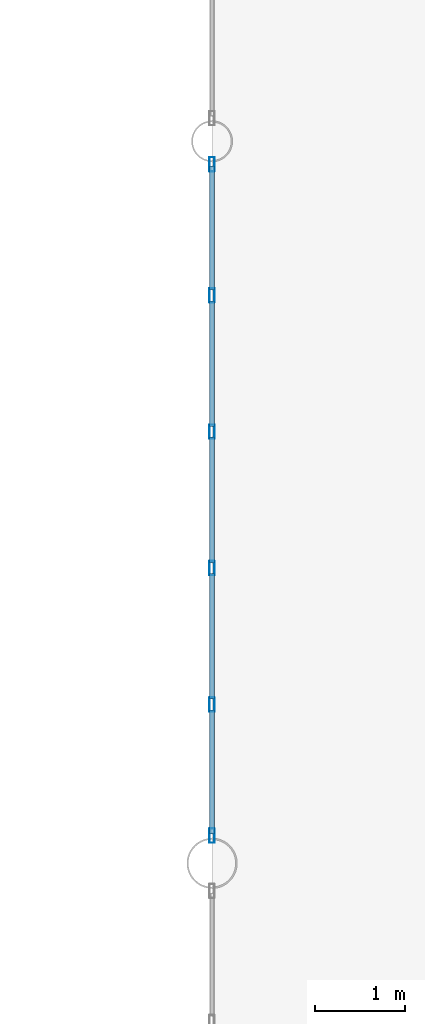
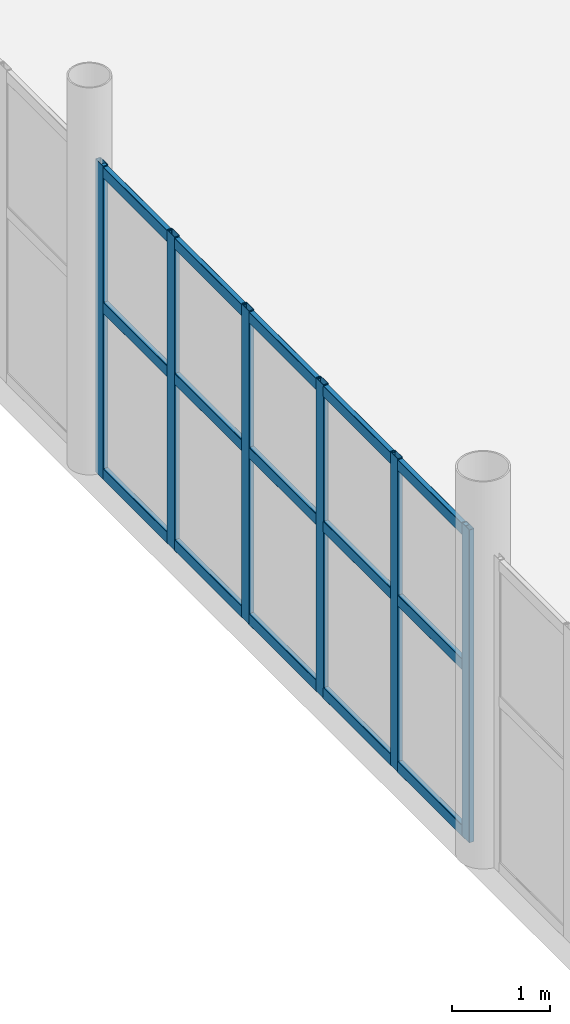
# One storey, part 38 of 178: 21 members, 1 element without a shape of its own.
"""IFC4 building model written with IfcOpenShell, lengths in metres."""

from ifc_helpers import new_model, si_unit, derived_unit, direction, frame, origin, origin_2d, place, context, subcontext, project, spatial, hollow_rectangle, extrude, material, material_profile, profile_set, type_object, element, aggregate, save


model = new_model("IFC4")

# Units and contexts
model_context = context("Model", 3, precision=1e-05, world=origin(), true_north=direction((0.0, 1.0)))
body_context = subcontext(model_context, "Body", "Model", "MODEL_VIEW")
ifc_project = project(units=[si_unit("LENGTHUNIT", "METRE"), si_unit("AREAUNIT", "SQUARE_METRE"), si_unit("VOLUMEUNIT", "CUBIC_METRE"), si_unit("PLANEANGLEUNIT", "RADIAN"), si_unit("MASSUNIT", "GRAM", prefix="KILO"), derived_unit("THERMALTRANSMITTANCEUNIT", [(si_unit("MASSUNIT", "GRAM", prefix="KILO"), 1), (si_unit("TIMEUNIT", "SECOND"), -3), (si_unit("THERMODYNAMICTEMPERATUREUNIT", "KELVIN"), -1)])], contexts=[model_context])

# Site, building, storey
site_placement = place(None, origin())
site = spatial("IfcSite", under=ifc_project, at=site_placement, CompositionType="ELEMENT")
building_placement = place(site_placement, origin())
building = spatial("IfcBuilding", under=site, at=building_placement, Name="Zhenchuan Archway Interchange", CompositionType="ELEMENT")
storey_placement = place(building_placement, frame((0.0, 0.0, 5.39990234375)))
storey = spatial("IfcBuildingStorey", under=building, at=storey_placement, Name="L01", CompositionType="ELEMENT", Elevation=5.39990234375)

# Curtain wall, members
ifc_material = material(Name="Anodised Aluminium", Category="aluminium")
curtain_wall_type = type_object("IfcCurtainWallType", Name="CW_UNIT_4", PredefinedType="NOTDEFINED", material=ifc_material)
curtain_wall_placement = place(storey_placement, origin())
curtain_wall = element("IfcCurtainWall", 1, at=curtain_wall_placement, inside=storey, type_object=curtain_wall_type, Name="Unitised curtain wall CW:L01:031", PredefinedType="NOTDEFINED")
ifc_material_profile_1 = material_profile(ifc_material, hollow_rectangle(XDim=0.06005859375, YDim=0.159912109375, WallThickness=0.00390625, InnerFilletRadius=0.00390625, OuterFilletRadius=0.008056640625, at=origin_2d()), Name="ALU 160x60x4")
ifc_profile_set_1 = profile_set([ifc_material_profile_1], Name="Anodised Aluminium")
member_type_1 = type_object("IfcMemberType", Name="CW_MUL_150", PredefinedType="MULLION", material=ifc_profile_set_1)
member_1_placement = place(storey_placement, frame((18.0, 40.306396484375, 0.0), z_axis=(0.0, 0.0, 1.0), x_axis=(1.0, 0.0, 0.0)))
member_1 = element("IfcMember", 2, at=member_1_placement, type_object=member_type_1, Name="CW:L01:031 mullion 0", PredefinedType="MULLION", context=body_context, shape_type="SweptSolid", body=[
    extrude(hollow_rectangle(XDim=0.06005859375, YDim=0.159912109375, WallThickness=0.00390625, InnerFilletRadius=0.00390625, OuterFilletRadius=0.008056640625, at=origin_2d()), origin(), (0.0, 0.0, 1.0), 3.880126953125),
])
member_2_placement = place(storey_placement, frame((18.0, 41.758056640625, 0.0), z_axis=(0.0, 0.0, 1.0), x_axis=(1.0, 0.0, 0.0)))
member_2 = element("IfcMember", 3, at=member_2_placement, type_object=member_type_1, Name="CW:L01:031 mullion 1", PredefinedType="MULLION", context=body_context, shape_type="SweptSolid", body=[
    extrude(hollow_rectangle(XDim=0.06005859375, YDim=0.159912109375, WallThickness=0.00390625, InnerFilletRadius=0.00390625, OuterFilletRadius=0.008056640625, at=origin_2d()), origin(), (0.0, 0.0, 1.0), 3.880126953125),
])
member_3_placement = place(storey_placement, frame((18.0, 43.269775390625, 0.0), z_axis=(0.0, 0.0, 1.0), x_axis=(1.0, 0.0, 0.0)))
member_3 = element("IfcMember", 4, at=member_3_placement, type_object=member_type_1, Name="CW:L01:031 mullion 2", PredefinedType="MULLION", context=body_context, shape_type="SweptSolid", body=[
    extrude(hollow_rectangle(XDim=0.06005859375, YDim=0.159912109375, WallThickness=0.00390625, InnerFilletRadius=0.00390625, OuterFilletRadius=0.008056640625, at=origin_2d()), origin(), (0.0, 0.0, 1.0), 3.880126953125),
])
member_4_placement = place(storey_placement, frame((18.0, 44.78125, 0.0), z_axis=(0.0, 0.0, 1.0), x_axis=(1.0, 0.0, 0.0)))
member_4 = element("IfcMember", 5, at=member_4_placement, type_object=member_type_1, Name="CW:L01:031 mullion 3", PredefinedType="MULLION", context=body_context, shape_type="SweptSolid", body=[
    extrude(hollow_rectangle(XDim=0.06005859375, YDim=0.159912109375, WallThickness=0.00390625, InnerFilletRadius=0.00390625, OuterFilletRadius=0.008056640625, at=origin_2d()), origin(), (0.0, 0.0, 1.0), 3.880126953125),
])
member_5_placement = place(storey_placement, frame((18.0, 46.29296875, 0.0), z_axis=(0.0, 0.0, 1.0), x_axis=(1.0, 0.0, 0.0)))
member_5 = element("IfcMember", 6, at=member_5_placement, type_object=member_type_1, Name="CW:L01:031 mullion 4", PredefinedType="MULLION", context=body_context, shape_type="SweptSolid", body=[
    extrude(hollow_rectangle(XDim=0.06005859375, YDim=0.159912109375, WallThickness=0.00390625, InnerFilletRadius=0.00390625, OuterFilletRadius=0.008056640625, at=origin_2d()), origin(), (0.0, 0.0, 1.0), 3.880126953125),
])
member_6_placement = place(storey_placement, frame((18.0, 47.744384765625, 0.0), z_axis=(0.0, 0.0, 1.0), x_axis=(1.0, 0.0, 0.0)))
member_6 = element("IfcMember", 7, at=member_6_placement, type_object=member_type_1, Name="CW:L01:031 mullion 5", PredefinedType="MULLION", context=body_context, shape_type="SweptSolid", body=[
    extrude(hollow_rectangle(XDim=0.06005859375, YDim=0.159912109375, WallThickness=0.00390625, InnerFilletRadius=0.00390625, OuterFilletRadius=0.008056640625, at=origin_2d()), origin(), (0.0, 0.0, 1.0), 3.880126953125),
])
ifc_material_profile_2 = material_profile(ifc_material, hollow_rectangle(XDim=0.06005859375, YDim=0.139892578125, WallThickness=0.00341796875, InnerFilletRadius=0.00341796875, OuterFilletRadius=0.007080078125, at=origin_2d()), Name="ALU 140x60x3.5")
ifc_profile_set_2 = profile_set([ifc_material_profile_2], Name="Anodised Aluminium")
member_type_2 = type_object("IfcMemberType", Name="CW_TRN_140", PredefinedType="USERDEFINED", material=ifc_profile_set_2)
member_7_placement = place(storey_placement, frame((18.0, 40.326416015625, 0.06005859375), z_axis=(0.0, 1.0, 0.0), x_axis=(-1.0, 0.0, 0.0)))
member_7 = element("IfcMember", 8, at=member_7_placement, type_object=member_type_2, Name="CW:L01:031 transom 0-1", ObjectType="TRANSOM", PredefinedType="USERDEFINED", context=body_context, shape_type="SweptSolid", body=[
    extrude(hollow_rectangle(XDim=0.06005859375, YDim=0.139892578125, WallThickness=0.00341796875, InnerFilletRadius=0.00341796875, OuterFilletRadius=0.007080078125, at=origin_2d()), origin(), (0.0, 0.0, 1.0), 1.37158203125),
])
member_8_placement = place(storey_placement, frame((18.0, 40.326416015625, 2.123046875), z_axis=(0.0, 1.0, 0.0), x_axis=(-1.0, 0.0, 0.0)))
member_8 = element("IfcMember", 9, at=member_8_placement, type_object=member_type_2, Name="CW:L01:031 transom 0-2", ObjectType="TRANSOM", PredefinedType="USERDEFINED", context=body_context, shape_type="SweptSolid", body=[
    extrude(hollow_rectangle(XDim=0.06005859375, YDim=0.139892578125, WallThickness=0.00341796875, InnerFilletRadius=0.00341796875, OuterFilletRadius=0.007080078125, at=origin_2d()), origin(), (0.0, 0.0, 1.0), 1.37158203125),
])
member_9_placement = place(storey_placement, frame((18.0, 40.326416015625, 3.800048828125), z_axis=(0.0, 1.0, 0.0), x_axis=(-1.0, 0.0, 0.0)))
member_9 = element("IfcMember", 10, at=member_9_placement, type_object=member_type_2, Name="CW:L01:031 transom 0-3", ObjectType="TRANSOM", PredefinedType="USERDEFINED", context=body_context, shape_type="SweptSolid", body=[
    extrude(hollow_rectangle(XDim=0.06005859375, YDim=0.139892578125, WallThickness=0.00341796875, InnerFilletRadius=0.00341796875, OuterFilletRadius=0.007080078125, at=origin_2d()), origin(), (0.0, 0.0, 1.0), 1.37158203125),
])
member_10_placement = place(storey_placement, frame((18.0, 41.818115234375, 0.06005859375), z_axis=(0.0, 1.0, 0.0), x_axis=(-1.0, 0.0, 0.0)))
member_10 = element("IfcMember", 11, at=member_10_placement, type_object=member_type_2, Name="CW:L01:031 transom 1-1", ObjectType="TRANSOM", PredefinedType="USERDEFINED", context=body_context, shape_type="SweptSolid", body=[
    extrude(hollow_rectangle(XDim=0.06005859375, YDim=0.139892578125, WallThickness=0.00341796875, InnerFilletRadius=0.00341796875, OuterFilletRadius=0.007080078125, at=origin_2d()), origin(), (0.0, 0.0, 1.0), 1.3916015625),
])
member_11_placement = place(storey_placement, frame((18.0, 41.818115234375, 2.123046875), z_axis=(0.0, 1.0, 0.0), x_axis=(-1.0, 0.0, 0.0)))
member_11 = element("IfcMember", 12, at=member_11_placement, type_object=member_type_2, Name="CW:L01:031 transom 1-2", ObjectType="TRANSOM", PredefinedType="USERDEFINED", context=body_context, shape_type="SweptSolid", body=[
    extrude(hollow_rectangle(XDim=0.06005859375, YDim=0.139892578125, WallThickness=0.00341796875, InnerFilletRadius=0.00341796875, OuterFilletRadius=0.007080078125, at=origin_2d()), origin(), (0.0, 0.0, 1.0), 1.3916015625),
])
member_12_placement = place(storey_placement, frame((18.0, 41.818115234375, 3.800048828125), z_axis=(0.0, 1.0, 0.0), x_axis=(-1.0, 0.0, 0.0)))
member_12 = element("IfcMember", 13, at=member_12_placement, type_object=member_type_2, Name="CW:L01:031 transom 1-3", ObjectType="TRANSOM", PredefinedType="USERDEFINED", context=body_context, shape_type="SweptSolid", body=[
    extrude(hollow_rectangle(XDim=0.06005859375, YDim=0.139892578125, WallThickness=0.00341796875, InnerFilletRadius=0.00341796875, OuterFilletRadius=0.007080078125, at=origin_2d()), origin(), (0.0, 0.0, 1.0), 1.3916015625),
])
member_13_placement = place(storey_placement, frame((18.0, 43.32958984375, 0.06005859375), z_axis=(0.0, 1.0, 0.0), x_axis=(-1.0, 0.0, 0.0)))
member_13 = element("IfcMember", 14, at=member_13_placement, type_object=member_type_2, Name="CW:L01:031 transom 2-1", ObjectType="TRANSOM", PredefinedType="USERDEFINED", context=body_context, shape_type="SweptSolid", body=[
    extrude(hollow_rectangle(XDim=0.06005859375, YDim=0.139892578125, WallThickness=0.00341796875, InnerFilletRadius=0.00341796875, OuterFilletRadius=0.007080078125, at=origin_2d()), origin(), (0.0, 0.0, 1.0), 1.3916015625),
])
member_14_placement = place(storey_placement, frame((18.0, 43.32958984375, 2.123046875), z_axis=(0.0, 1.0, 0.0), x_axis=(-1.0, 0.0, 0.0)))
member_14 = element("IfcMember", 15, at=member_14_placement, type_object=member_type_2, Name="CW:L01:031 transom 2-2", ObjectType="TRANSOM", PredefinedType="USERDEFINED", context=body_context, shape_type="SweptSolid", body=[
    extrude(hollow_rectangle(XDim=0.06005859375, YDim=0.139892578125, WallThickness=0.00341796875, InnerFilletRadius=0.00341796875, OuterFilletRadius=0.007080078125, at=origin_2d()), origin(), (0.0, 0.0, 1.0), 1.3916015625),
])
member_15_placement = place(storey_placement, frame((18.0, 43.32958984375, 3.800048828125), z_axis=(0.0, 1.0, 0.0), x_axis=(-1.0, 0.0, 0.0)))
member_15 = element("IfcMember", 16, at=member_15_placement, type_object=member_type_2, Name="CW:L01:031 transom 2-3", ObjectType="TRANSOM", PredefinedType="USERDEFINED", context=body_context, shape_type="SweptSolid", body=[
    extrude(hollow_rectangle(XDim=0.06005859375, YDim=0.139892578125, WallThickness=0.00341796875, InnerFilletRadius=0.00341796875, OuterFilletRadius=0.007080078125, at=origin_2d()), origin(), (0.0, 0.0, 1.0), 1.3916015625),
])
member_16_placement = place(storey_placement, frame((18.0, 44.84130859375, 0.06005859375), z_axis=(0.0, 1.0, 0.0), x_axis=(-1.0, 0.0, 0.0)))
member_16 = element("IfcMember", 17, at=member_16_placement, type_object=member_type_2, Name="CW:L01:031 transom 3-1", ObjectType="TRANSOM", PredefinedType="USERDEFINED", context=body_context, shape_type="SweptSolid", body=[
    extrude(hollow_rectangle(XDim=0.06005859375, YDim=0.139892578125, WallThickness=0.00341796875, InnerFilletRadius=0.00341796875, OuterFilletRadius=0.007080078125, at=origin_2d()), origin(), (0.0, 0.0, 1.0), 1.3916015625),
])
member_17_placement = place(storey_placement, frame((18.0, 44.84130859375, 2.123046875), z_axis=(0.0, 1.0, 0.0), x_axis=(-1.0, 0.0, 0.0)))
member_17 = element("IfcMember", 18, at=member_17_placement, type_object=member_type_2, Name="CW:L01:031 transom 3-2", ObjectType="TRANSOM", PredefinedType="USERDEFINED", context=body_context, shape_type="SweptSolid", body=[
    extrude(hollow_rectangle(XDim=0.06005859375, YDim=0.139892578125, WallThickness=0.00341796875, InnerFilletRadius=0.00341796875, OuterFilletRadius=0.007080078125, at=origin_2d()), origin(), (0.0, 0.0, 1.0), 1.3916015625),
])
member_18_placement = place(storey_placement, frame((18.0, 44.84130859375, 3.800048828125), z_axis=(0.0, 1.0, 0.0), x_axis=(-1.0, 0.0, 0.0)))
member_18 = element("IfcMember", 19, at=member_18_placement, type_object=member_type_2, Name="CW:L01:031 transom 3-3", ObjectType="TRANSOM", PredefinedType="USERDEFINED", context=body_context, shape_type="SweptSolid", body=[
    extrude(hollow_rectangle(XDim=0.06005859375, YDim=0.139892578125, WallThickness=0.00341796875, InnerFilletRadius=0.00341796875, OuterFilletRadius=0.007080078125, at=origin_2d()), origin(), (0.0, 0.0, 1.0), 1.3916015625),
])
member_19_placement = place(storey_placement, frame((18.0, 46.352783203125, 0.06005859375), z_axis=(0.0, 1.0, 0.0), x_axis=(-1.0, 0.0, 0.0)))
member_19 = element("IfcMember", 20, at=member_19_placement, type_object=member_type_2, Name="CW:L01:031 transom 4-1", ObjectType="TRANSOM", PredefinedType="USERDEFINED", context=body_context, shape_type="SweptSolid", body=[
    extrude(hollow_rectangle(XDim=0.06005859375, YDim=0.139892578125, WallThickness=0.00341796875, InnerFilletRadius=0.00341796875, OuterFilletRadius=0.007080078125, at=origin_2d()), origin(), (0.0, 0.0, 1.0), 1.371826171875),
])
member_20_placement = place(storey_placement, frame((18.0, 46.352783203125, 2.123046875), z_axis=(0.0, 1.0, 0.0), x_axis=(-1.0, 0.0, 0.0)))
member_20 = element("IfcMember", 21, at=member_20_placement, type_object=member_type_2, Name="CW:L01:031 transom 4-2", ObjectType="TRANSOM", PredefinedType="USERDEFINED", context=body_context, shape_type="SweptSolid", body=[
    extrude(hollow_rectangle(XDim=0.06005859375, YDim=0.139892578125, WallThickness=0.00341796875, InnerFilletRadius=0.00341796875, OuterFilletRadius=0.007080078125, at=origin_2d()), origin(), (0.0, 0.0, 1.0), 1.371826171875),
])
member_21_placement = place(storey_placement, frame((18.0, 46.352783203125, 3.800048828125), z_axis=(0.0, 1.0, 0.0), x_axis=(-1.0, 0.0, 0.0)))
member_21 = element("IfcMember", 22, at=member_21_placement, type_object=member_type_2, Name="CW:L01:031 transom 4-3", ObjectType="TRANSOM", PredefinedType="USERDEFINED", context=body_context, shape_type="SweptSolid", body=[
    extrude(hollow_rectangle(XDim=0.06005859375, YDim=0.139892578125, WallThickness=0.00341796875, InnerFilletRadius=0.00341796875, OuterFilletRadius=0.007080078125, at=origin_2d()), origin(), (0.0, 0.0, 1.0), 1.371826171875),
])
aggregate(curtain_wall, [member_1, member_2, member_3, member_4, member_5, member_6, member_7, member_8, member_9, member_10, member_11, member_12, member_13, member_14, member_15, member_16, member_17, member_18, member_19, member_20, member_21])

save(model, "model.ifc")
